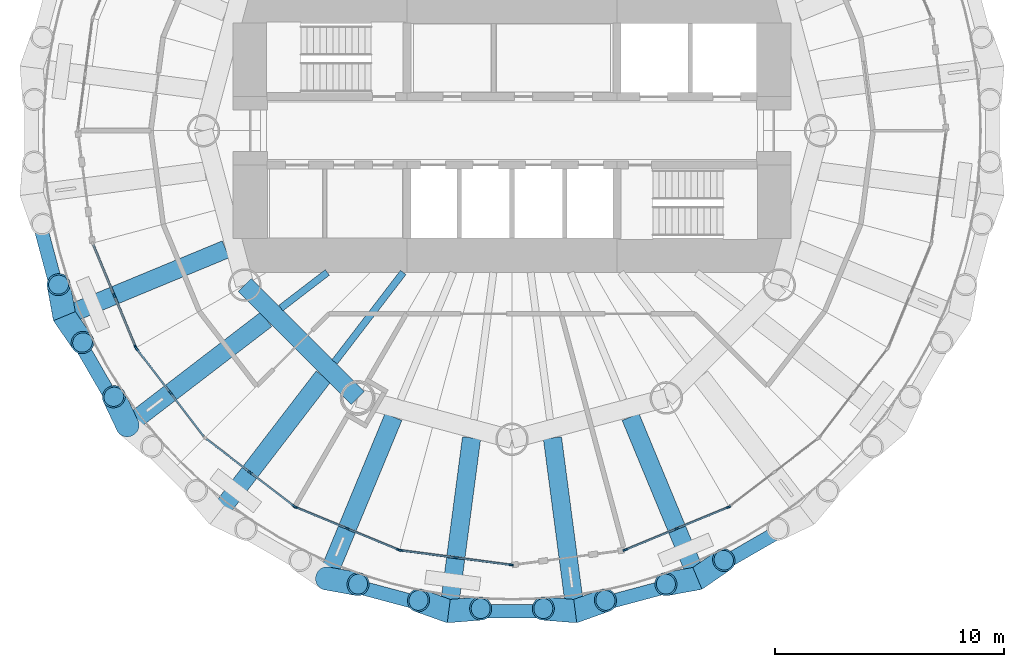
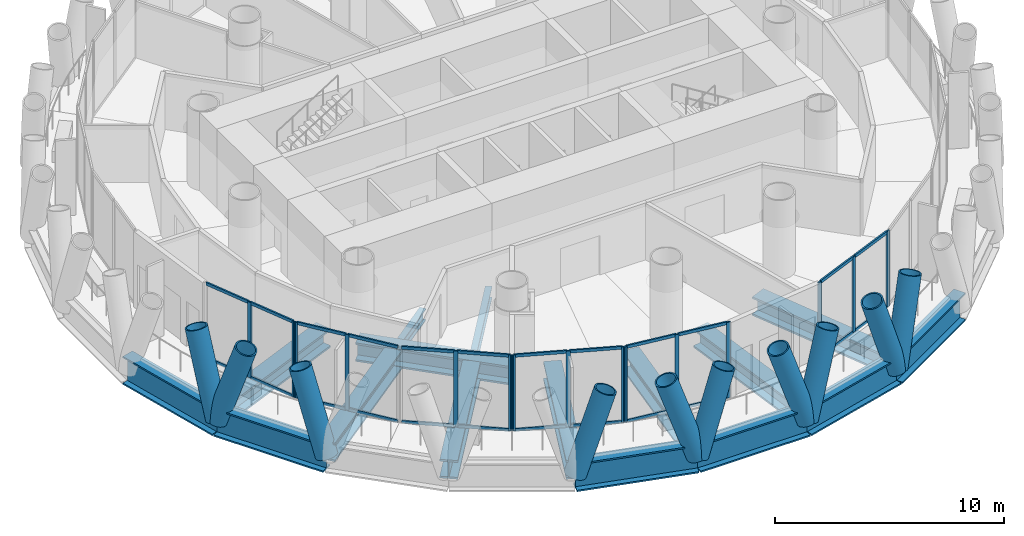
# One storey, part 2 of 16: 49 members, 16 beams, 6 elements without a shape of their own.
"""IFC4 building model written with IfcOpenShell, lengths in metres."""

from ifc_helpers import new_model, si_unit, direction, frame, origin, origin_2d, place, context, subcontext, project, spatial, rectangle, hollow_circle, i_section, extrude, material, material_profile, profile_set, type_object, element, aggregate, save


model = new_model("IFC4")

# Units and contexts
model_context = context("Model", 3, precision=1e-05, world=origin(), true_north=direction((0.0, 1.0)))
body_context = subcontext(model_context, "Body", "Model", "MODEL_VIEW")
ifc_project = project(units=[si_unit("LENGTHUNIT", "METRE"), si_unit("AREAUNIT", "SQUARE_METRE"), si_unit("VOLUMEUNIT", "CUBIC_METRE"), si_unit("PLANEANGLEUNIT", "RADIAN"), si_unit("MASSUNIT", "GRAM", prefix="KILO")], contexts=[model_context])

# Site, building, storey
site_placement = place(None, origin())
site = spatial("IfcSite", under=ifc_project, at=site_placement, CompositionType="ELEMENT")
building_placement = place(site_placement, origin())
building = spatial("IfcBuilding", under=site, at=building_placement, Name="Qaws Media Tower", CompositionType="ELEMENT")
storey_placement = place(building_placement, frame((0.0, 0.0, 269.60009765625)))
storey = spatial("IfcBuildingStorey", under=building, at=storey_placement, Name="L62", CompositionType="ELEMENT", Elevation=269.60009765625)

# Curtain wall, members
ifc_material_1 = material(Name="Aluminium and clear glass", Category="aluminium")
curtain_wall_type = type_object("IfcCurtainWallType", Name="Unitised curtain wall CW-D", PredefinedType="NOTDEFINED", material=ifc_material_1)
curtain_wall_1_placement = place(storey_placement, origin())
curtain_wall_1 = element("IfcCurtainWall", 1, at=curtain_wall_1_placement, inside=storey, type_object=curtain_wall_type, Name="CWD curtain wall L62-14", PredefinedType="NOTDEFINED")
ifc_material_2 = material(Name="Aluminium mullion", Category="aluminium")
ifc_material_profile_1 = material_profile(ifc_material_2, rectangle(XDim=0.080078125, YDim=0.199951171875, at=origin_2d()), Name="80x200")
ifc_profile_set_1 = profile_set([ifc_material_profile_1], Name="Aluminium mullion")
member_type_1 = type_object("IfcMemberType", Name="Curtain wall mullion 80x200", PredefinedType="MULLION", material=ifc_profile_set_1)
member_1_placement = place(storey_placement, frame((42.596435546875, 42.791259765625, 0.0), z_axis=(0.0, 0.0, 1.0), x_axis=(0.923879530254, 0.382683437815, 0.0)))
member_1 = element("IfcMember", 2, at=member_1_placement, type_object=member_type_1, Name="CWD mullion 2", PredefinedType="MULLION", context=body_context, shape_type="SweptSolid", body=[
    extrude(rectangle(XDim=0.080078125, YDim=0.199951171875, at=origin_2d()), origin(), (0.0, 0.0, 1.0), 4.039794921875),
])
member_2_placement = place(storey_placement, frame((43.5302734375, 40.536865234375, 0.0), z_axis=(0.0, 0.0, 1.0), x_axis=(0.923879530254, 0.382683437815, 0.0)))
member_2 = element("IfcMember", 3, at=member_2_placement, type_object=member_type_1, Name="CWD mullion 3", PredefinedType="MULLION", context=body_context, shape_type="SweptSolid", body=[
    extrude(rectangle(XDim=0.080078125, YDim=0.199951171875, at=origin_2d()), origin(), (0.0, 0.0, 1.0), 4.039794921875),
])

curtain_wall_2_placement = place(storey_placement, origin())
curtain_wall_2 = element("IfcCurtainWall", 4, at=curtain_wall_2_placement, inside=storey, type_object=curtain_wall_type, Name="CWD curtain wall L62-15", PredefinedType="NOTDEFINED")
member_3_placement = place(storey_placement, frame((43.56982421875, 40.46826171875, 0.0), z_axis=(0.0, 0.0, 1.0), x_axis=(0.793353335436, 0.608761435337, 0.0)))
member_3 = element("IfcMember", 5, at=member_3_placement, type_object=member_type_1, Name="CWD mullion 1", PredefinedType="MULLION", context=body_context, shape_type="SweptSolid", body=[
    extrude(rectangle(XDim=0.080078125, YDim=0.199951171875, at=origin_2d()), origin(), (0.0, 0.0, 1.0), 4.039794921875),
])
member_4_placement = place(storey_placement, frame((45.05517578125, 38.532470703125, 0.0), z_axis=(0.0, 0.0, 1.0), x_axis=(0.793353335436, 0.608761435337, 0.0)))
member_4 = element("IfcMember", 6, at=member_4_placement, type_object=member_type_1, Name="CWD mullion 2", PredefinedType="MULLION", context=body_context, shape_type="SweptSolid", body=[
    extrude(rectangle(XDim=0.080078125, YDim=0.199951171875, at=origin_2d()), origin(), (0.0, 0.0, 1.0), 4.039794921875),
])

curtain_wall_3_placement = place(storey_placement, origin())
curtain_wall_3 = element("IfcCurtainWall", 7, at=curtain_wall_3_placement, inside=storey, type_object=curtain_wall_type, Name="CWD curtain wall L62-16", PredefinedType="NOTDEFINED")
member_5_placement = place(storey_placement, frame((48.532470703125, 35.05517578125, 0.0), z_axis=(0.0, 0.0, 1.0), x_axis=(0.608761435337, 0.793353335436, 0.0)))
member_5 = element("IfcMember", 8, at=member_5_placement, type_object=member_type_1, Name="CWD mullion 2", PredefinedType="MULLION", context=body_context, shape_type="SweptSolid", body=[
    extrude(rectangle(XDim=0.080078125, YDim=0.199951171875, at=origin_2d()), origin(), (0.0, 0.0, 1.0), 4.039794921875),
])
member_6_placement = place(storey_placement, frame((50.46826171875, 33.56982421875, 0.0), z_axis=(0.0, 0.0, 1.0), x_axis=(0.608761435337, 0.793353335436, 0.0)))
member_6 = element("IfcMember", 9, at=member_6_placement, type_object=member_type_1, Name="CWD mullion 3", PredefinedType="MULLION", context=body_context, shape_type="SweptSolid", body=[
    extrude(rectangle(XDim=0.080078125, YDim=0.199951171875, at=origin_2d()), origin(), (0.0, 0.0, 1.0), 4.039794921875),
])

curtain_wall_4_placement = place(storey_placement, origin())
curtain_wall_4 = element("IfcCurtainWall", 10, at=curtain_wall_4_placement, inside=storey, type_object=curtain_wall_type, Name="CWD curtain wall L62-17", PredefinedType="NOTDEFINED")
member_7_placement = place(storey_placement, frame((50.536865234375, 33.5302734375, 0.0), z_axis=(0.0, 0.0, 1.0), x_axis=(0.382683437815, 0.923879530254, 0.0)))
member_7 = element("IfcMember", 11, at=member_7_placement, type_object=member_type_1, Name="CWD mullion 1", PredefinedType="MULLION", context=body_context, shape_type="SweptSolid", body=[
    extrude(rectangle(XDim=0.080078125, YDim=0.199951171875, at=origin_2d()), origin(), (0.0, 0.0, 1.0), 4.039794921875),
])
member_8_placement = place(storey_placement, frame((52.791259765625, 32.596435546875, 0.0), z_axis=(0.0, 0.0, 1.0), x_axis=(0.382683437815, 0.923879530254, 0.0)))
member_8 = element("IfcMember", 12, at=member_8_placement, type_object=member_type_1, Name="CWD mullion 2", PredefinedType="MULLION", context=body_context, shape_type="SweptSolid", body=[
    extrude(rectangle(XDim=0.080078125, YDim=0.199951171875, at=origin_2d()), origin(), (0.0, 0.0, 1.0), 4.039794921875),
])
member_9_placement = place(storey_placement, frame((55.04541015625, 31.66259765625, 0.0), z_axis=(0.0, 0.0, 1.0), x_axis=(0.382683437815, 0.923879530254, 0.0)))
member_9 = element("IfcMember", 13, at=member_9_placement, type_object=member_type_1, Name="CWD mullion 3", PredefinedType="MULLION", context=body_context, shape_type="SweptSolid", body=[
    extrude(rectangle(XDim=0.080078125, YDim=0.199951171875, at=origin_2d()), origin(), (0.0, 0.0, 1.0), 4.039794921875),
])

curtain_wall_5_placement = place(storey_placement, origin())
curtain_wall_5 = element("IfcCurtainWall", 14, at=curtain_wall_5_placement, inside=storey, type_object=curtain_wall_type, Name="CWD curtain wall L62-18", PredefinedType="NOTDEFINED")
member_10_placement = place(storey_placement, frame((55.1220703125, 31.64208984375, 0.0), z_axis=(0.0, 0.0, 1.0), x_axis=(0.130526128939, 0.991444869705, 0.0)))
member_10 = element("IfcMember", 15, at=member_10_placement, type_object=member_type_1, Name="CWD mullion 1", PredefinedType="MULLION", context=body_context, shape_type="SweptSolid", body=[
    extrude(rectangle(XDim=0.080078125, YDim=0.199951171875, at=origin_2d()), origin(), (0.0, 0.0, 1.0), 4.039794921875),
])
member_11_placement = place(storey_placement, frame((57.541259765625, 31.32373046875, 0.0), z_axis=(0.0, 0.0, 1.0), x_axis=(0.130526128939, 0.991444869705, 0.0)))
member_11 = element("IfcMember", 16, at=member_11_placement, type_object=member_type_1, Name="CWD mullion 2", PredefinedType="MULLION", context=body_context, shape_type="SweptSolid", body=[
    extrude(rectangle(XDim=0.080078125, YDim=0.199951171875, at=origin_2d()), origin(), (0.0, 0.0, 1.0), 4.039794921875),
])
member_12_placement = place(storey_placement, frame((59.96044921875, 31.005126953125, 0.0), z_axis=(0.0, 0.0, 1.0), x_axis=(0.130526128939, 0.991444869705, 0.0)))
member_12 = element("IfcMember", 17, at=member_12_placement, type_object=member_type_1, Name="CWD mullion 3", PredefinedType="MULLION", context=body_context, shape_type="SweptSolid", body=[
    extrude(rectangle(XDim=0.080078125, YDim=0.199951171875, at=origin_2d()), origin(), (0.0, 0.0, 1.0), 4.039794921875),
])

curtain_wall_6_placement = place(storey_placement, origin())
curtain_wall_6 = element("IfcCurtainWall", 18, at=curtain_wall_6_placement, inside=storey, type_object=curtain_wall_type, Name="CWD curtain wall L62-20", PredefinedType="NOTDEFINED")
member_13_placement = place(storey_placement, frame((64.95458984375, 31.66259765625, 0.0), z_axis=(0.0, 0.0, 1.0), x_axis=(-0.382683437815, 0.923879530254, 0.0)))
member_13 = element("IfcMember", 19, at=member_13_placement, type_object=member_type_1, Name="CWD mullion 1", PredefinedType="MULLION", context=body_context, shape_type="SweptSolid", body=[
    extrude(rectangle(XDim=0.080078125, YDim=0.199951171875, at=origin_2d()), origin(), (0.0, 0.0, 1.0), 4.039794921875),
])
member_14_placement = place(storey_placement, frame((67.208740234375, 32.596435546875, 0.0), z_axis=(0.0, 0.0, 1.0), x_axis=(-0.382683437815, 0.923879530254, 0.0)))
member_14 = element("IfcMember", 20, at=member_14_placement, type_object=member_type_1, Name="CWD mullion 2", PredefinedType="MULLION", context=body_context, shape_type="SweptSolid", body=[
    extrude(rectangle(XDim=0.080078125, YDim=0.199951171875, at=origin_2d()), origin(), (0.0, 0.0, 1.0), 4.039794921875),
])
member_15_placement = place(storey_placement, frame((69.463134765625, 33.5302734375, 0.0), z_axis=(0.0, 0.0, 1.0), x_axis=(-0.382683437815, 0.923879530254, 0.0)))
member_15 = element("IfcMember", 21, at=member_15_placement, type_object=member_type_1, Name="CWD mullion 3", PredefinedType="MULLION", context=body_context, shape_type="SweptSolid", body=[
    extrude(rectangle(XDim=0.080078125, YDim=0.199951171875, at=origin_2d()), origin(), (0.0, 0.0, 1.0), 4.039794921875),
])

# Member
ifc_material_3 = material(Name="Aluminium transom", Category="aluminium")
ifc_material_profile_2 = material_profile(ifc_material_3, rectangle(XDim=0.080078125, YDim=0.159912109375, at=origin_2d()), Name="80x160")
ifc_profile_set_2 = profile_set([ifc_material_profile_2], Name="Aluminium transom")
member_type_2 = type_object("IfcMemberType", Name="Curtain wall transom 80x160", PredefinedType="USERDEFINED", material=ifc_profile_set_2)
member_16_placement = place(storey_placement, frame((41.677978515625, 45.008544921875, 0.039794921875), z_axis=(0.382653293732, -0.923892015766, 0.0), x_axis=(0.923892015766, 0.382653293732, 0.0)))
member_16 = element("IfcMember", 22, at=member_16_placement, type_object=member_type_2, Name="CWD transom 1.1", ObjectType="TRANSOM", PredefinedType="USERDEFINED", context=body_context, shape_type="SweptSolid", body=[
    extrude(rectangle(XDim=0.080078125, YDim=0.159912109375, at=origin_2d()), origin(), (0.0, 0.0, 1.0), 2.360107421875),
])

member_17_placement = place(storey_placement, frame((41.677978515625, 45.008544921875, 4.0), z_axis=(0.382653293732, -0.923892015766, 0.0), x_axis=(0.923892015766, 0.382653293732, 0.0)))
member_17 = element("IfcMember", 23, at=member_17_placement, type_object=member_type_2, Name="CWD transom 1.2", ObjectType="TRANSOM", PredefinedType="USERDEFINED", context=body_context, shape_type="SweptSolid", body=[
    extrude(rectangle(XDim=0.080078125, YDim=0.159912109375, at=origin_2d()), origin(), (0.0, 0.0, 1.0), 2.360107421875),
])

member_18_placement = place(storey_placement, frame((42.61181640625, 42.754150390625, 0.039794921875), z_axis=(0.38268986885, -0.923876866406, 0.0), x_axis=(0.923876866406, 0.38268986885, 0.0)))
member_18 = element("IfcMember", 24, at=member_18_placement, type_object=member_type_2, Name="CWD transom 2.1", ObjectType="TRANSOM", PredefinedType="USERDEFINED", context=body_context, shape_type="SweptSolid", body=[
    extrude(rectangle(XDim=0.080078125, YDim=0.159912109375, at=origin_2d()), origin(), (0.0, 0.0, 1.0), 2.35986328125),
])

member_19_placement = place(storey_placement, frame((42.61181640625, 42.754150390625, 4.0), z_axis=(0.38268986885, -0.923876866406, 0.0), x_axis=(0.923876866406, 0.38268986885, 0.0)))
member_19 = element("IfcMember", 25, at=member_19_placement, type_object=member_type_2, Name="CWD transom 2.2", ObjectType="TRANSOM", PredefinedType="USERDEFINED", context=body_context, shape_type="SweptSolid", body=[
    extrude(rectangle(XDim=0.080078125, YDim=0.159912109375, at=origin_2d()), origin(), (0.0, 0.0, 1.0), 2.35986328125),
])

aggregate(curtain_wall_1, [member_1, member_2, member_16, member_17, member_18, member_19])

member_20_placement = place(storey_placement, frame((43.59423828125, 40.4365234375, 0.039794921875), z_axis=(0.608785475942, -0.793334887851, 0.0), x_axis=(0.793334887851, 0.608785475942, 0.0)))
member_20 = element("IfcMember", 26, at=member_20_placement, type_object=member_type_2, Name="CWD transom 1.1", ObjectType="TRANSOM", PredefinedType="USERDEFINED", context=body_context, shape_type="SweptSolid", body=[
    extrude(rectangle(XDim=0.080078125, YDim=0.159912109375, at=origin_2d()), origin(), (0.0, 0.0, 1.0), 2.360107421875),
])

member_21_placement = place(storey_placement, frame((43.59423828125, 40.4365234375, 4.0), z_axis=(0.608785475942, -0.793334887851, 0.0), x_axis=(0.793334887851, 0.608785475942, 0.0)))
member_21 = element("IfcMember", 27, at=member_21_placement, type_object=member_type_2, Name="CWD transom 1.2", ObjectType="TRANSOM", PredefinedType="USERDEFINED", context=body_context, shape_type="SweptSolid", body=[
    extrude(rectangle(XDim=0.080078125, YDim=0.159912109375, at=origin_2d()), origin(), (0.0, 0.0, 1.0), 2.360107421875),
])

member_22_placement = place(storey_placement, frame((45.07958984375, 38.500732421875, 0.039794921875), z_axis=(0.608785475942, -0.793334887851, 0.0), x_axis=(0.793334887851, 0.608785475942, 0.0)))
member_22 = element("IfcMember", 28, at=member_22_placement, type_object=member_type_2, Name="CWD transom 2.1", ObjectType="TRANSOM", PredefinedType="USERDEFINED", context=body_context, shape_type="SweptSolid", body=[
    extrude(rectangle(XDim=0.080078125, YDim=0.159912109375, at=origin_2d()), origin(), (0.0, 0.0, 1.0), 2.360107421875),
])

member_23_placement = place(storey_placement, frame((45.07958984375, 38.500732421875, 4.0), z_axis=(0.608785475942, -0.793334887851, 0.0), x_axis=(0.793334887851, 0.608785475942, 0.0)))
member_23 = element("IfcMember", 29, at=member_23_placement, type_object=member_type_2, Name="CWD transom 2.2", ObjectType="TRANSOM", PredefinedType="USERDEFINED", context=body_context, shape_type="SweptSolid", body=[
    extrude(rectangle(XDim=0.080078125, YDim=0.159912109375, at=origin_2d()), origin(), (0.0, 0.0, 1.0), 2.360107421875),
])

aggregate(curtain_wall_2, [member_3, member_4, member_20, member_21, member_22, member_23])

member_24_placement = place(storey_placement, frame((46.62841796875, 36.516357421875, 0.039794921875), z_axis=(0.793334887851, -0.608785475942, 0.0), x_axis=(0.608785475942, 0.793334887851, 0.0)))
member_24 = element("IfcMember", 30, at=member_24_placement, type_object=member_type_2, Name="CWD transom 1.1", ObjectType="TRANSOM", PredefinedType="USERDEFINED", context=body_context, shape_type="SweptSolid", body=[
    extrude(rectangle(XDim=0.080078125, YDim=0.159912109375, at=origin_2d()), origin(), (0.0, 0.0, 1.0), 2.360107421875),
])

member_25_placement = place(storey_placement, frame((46.62841796875, 36.516357421875, 4.0), z_axis=(0.793334887851, -0.608785475942, 0.0), x_axis=(0.608785475942, 0.793334887851, 0.0)))
member_25 = element("IfcMember", 31, at=member_25_placement, type_object=member_type_2, Name="CWD transom 1.2", ObjectType="TRANSOM", PredefinedType="USERDEFINED", context=body_context, shape_type="SweptSolid", body=[
    extrude(rectangle(XDim=0.080078125, YDim=0.159912109375, at=origin_2d()), origin(), (0.0, 0.0, 1.0), 2.360107421875),
])

member_26_placement = place(storey_placement, frame((48.564208984375, 35.031005859375, 0.039794921875), z_axis=(0.793334887851, -0.608785475942, 0.0), x_axis=(0.608785475942, 0.793334887851, 0.0)))
member_26 = element("IfcMember", 32, at=member_26_placement, type_object=member_type_2, Name="CWD transom 2.1", ObjectType="TRANSOM", PredefinedType="USERDEFINED", context=body_context, shape_type="SweptSolid", body=[
    extrude(rectangle(XDim=0.080078125, YDim=0.159912109375, at=origin_2d()), origin(), (0.0, 0.0, 1.0), 2.360107421875),
])

member_27_placement = place(storey_placement, frame((48.564208984375, 35.031005859375, 4.0), z_axis=(0.793334887851, -0.608785475942, 0.0), x_axis=(0.608785475942, 0.793334887851, 0.0)))
member_27 = element("IfcMember", 33, at=member_27_placement, type_object=member_type_2, Name="CWD transom 2.2", ObjectType="TRANSOM", PredefinedType="USERDEFINED", context=body_context, shape_type="SweptSolid", body=[
    extrude(rectangle(XDim=0.080078125, YDim=0.159912109375, at=origin_2d()), origin(), (0.0, 0.0, 1.0), 2.360107421875),
])

aggregate(curtain_wall_3, [member_5, member_6, member_24, member_25, member_26, member_27])

member_28_placement = place(storey_placement, frame((50.573974609375, 33.514892578125, 0.039794921875), z_axis=(0.923876866406, -0.38268986885, 0.0), x_axis=(0.38268986885, 0.923876866406, 0.0)))
member_28 = element("IfcMember", 34, at=member_28_placement, type_object=member_type_2, Name="CWD transom 1.1", ObjectType="TRANSOM", PredefinedType="USERDEFINED", context=body_context, shape_type="SweptSolid", body=[
    extrude(rectangle(XDim=0.080078125, YDim=0.159912109375, at=origin_2d()), origin(), (0.0, 0.0, 1.0), 2.35986328125),
])

member_29_placement = place(storey_placement, frame((50.573974609375, 33.514892578125, 4.0), z_axis=(0.923876866406, -0.38268986885, 0.0), x_axis=(0.38268986885, 0.923876866406, 0.0)))
member_29 = element("IfcMember", 35, at=member_29_placement, type_object=member_type_2, Name="CWD transom 1.2", ObjectType="TRANSOM", PredefinedType="USERDEFINED", context=body_context, shape_type="SweptSolid", body=[
    extrude(rectangle(XDim=0.080078125, YDim=0.159912109375, at=origin_2d()), origin(), (0.0, 0.0, 1.0), 2.35986328125),
])

member_30_placement = place(storey_placement, frame((52.828125, 32.5810546875, 0.039794921875), z_axis=(0.923892015766, -0.382653293732, 0.0), x_axis=(0.382653293732, 0.923892015766, 0.0)))
member_30 = element("IfcMember", 36, at=member_30_placement, type_object=member_type_2, Name="CWD transom 2.1", ObjectType="TRANSOM", PredefinedType="USERDEFINED", context=body_context, shape_type="SweptSolid", body=[
    extrude(rectangle(XDim=0.080078125, YDim=0.159912109375, at=origin_2d()), origin(), (0.0, 0.0, 1.0), 2.360107421875),
])

member_31_placement = place(storey_placement, frame((52.828125, 32.5810546875, 4.0), z_axis=(0.923892015766, -0.382653293732, 0.0), x_axis=(0.382653293732, 0.923892015766, 0.0)))
member_31 = element("IfcMember", 37, at=member_31_placement, type_object=member_type_2, Name="CWD transom 2.2", ObjectType="TRANSOM", PredefinedType="USERDEFINED", context=body_context, shape_type="SweptSolid", body=[
    extrude(rectangle(XDim=0.080078125, YDim=0.159912109375, at=origin_2d()), origin(), (0.0, 0.0, 1.0), 2.360107421875),
])

aggregate(curtain_wall_4, [member_7, member_8, member_9, member_28, member_29, member_30, member_31])

member_32_placement = place(storey_placement, frame((55.161865234375, 31.636962890625, 0.039794921875), z_axis=(0.991439851806, -0.130564238024, 0.0), x_axis=(0.130564238024, 0.991439851806, 0.0)))
member_32 = element("IfcMember", 38, at=member_32_placement, type_object=member_type_2, Name="CWD transom 1.1", ObjectType="TRANSOM", PredefinedType="USERDEFINED", context=body_context, shape_type="SweptSolid", body=[
    extrude(rectangle(XDim=0.080078125, YDim=0.159912109375, at=origin_2d()), origin(), (0.0, 0.0, 1.0), 2.35986328125),
])

member_33_placement = place(storey_placement, frame((55.161865234375, 31.636962890625, 4.0), z_axis=(0.991439851806, -0.130564238024, 0.0), x_axis=(0.130564238024, 0.991439851806, 0.0)))
member_33 = element("IfcMember", 39, at=member_33_placement, type_object=member_type_2, Name="CWD transom 1.2", ObjectType="TRANSOM", PredefinedType="USERDEFINED", context=body_context, shape_type="SweptSolid", body=[
    extrude(rectangle(XDim=0.080078125, YDim=0.159912109375, at=origin_2d()), origin(), (0.0, 0.0, 1.0), 2.35986328125),
])

member_34_placement = place(storey_placement, frame((57.580810546875, 31.318603515625, 0.039794921875), z_axis=(0.991441615189, -0.130550847075, 0.0), x_axis=(0.130550847075, 0.991441615189, 0.0)))
member_34 = element("IfcMember", 40, at=member_34_placement, type_object=member_type_2, Name="CWD transom 2.1", ObjectType="TRANSOM", PredefinedType="USERDEFINED", context=body_context, shape_type="SweptSolid", body=[
    extrude(rectangle(XDim=0.080078125, YDim=0.159912109375, at=origin_2d()), origin(), (0.0, 0.0, 1.0), 2.360107421875),
])

member_35_placement = place(storey_placement, frame((57.580810546875, 31.318603515625, 4.0), z_axis=(0.991441615189, -0.130550847075, 0.0), x_axis=(0.130550847075, 0.991441615189, 0.0)))
member_35 = element("IfcMember", 41, at=member_35_placement, type_object=member_type_2, Name="CWD transom 2.2", ObjectType="TRANSOM", PredefinedType="USERDEFINED", context=body_context, shape_type="SweptSolid", body=[
    extrude(rectangle(XDim=0.080078125, YDim=0.159912109375, at=origin_2d()), origin(), (0.0, 0.0, 1.0), 2.360107421875),
])

aggregate(curtain_wall_5, [member_10, member_11, member_12, member_32, member_33, member_34, member_35])

member_36_placement = place(storey_placement, frame((64.991455078125, 31.677978515625, 0.039794921875), z_axis=(0.923892015766, 0.382653293732, 0.0), x_axis=(-0.382653293732, 0.923892015766, 0.0)))
member_36 = element("IfcMember", 42, at=member_36_placement, type_object=member_type_2, Name="CWD transom 1.1", ObjectType="TRANSOM", PredefinedType="USERDEFINED", context=body_context, shape_type="SweptSolid", body=[
    extrude(rectangle(XDim=0.080078125, YDim=0.159912109375, at=origin_2d()), origin(), (0.0, 0.0, 1.0), 2.360107421875),
])

member_37_placement = place(storey_placement, frame((64.991455078125, 31.677978515625, 4.0), z_axis=(0.923892015766, 0.382653293732, 0.0), x_axis=(-0.382653293732, 0.923892015766, 0.0)))
member_37 = element("IfcMember", 43, at=member_37_placement, type_object=member_type_2, Name="CWD transom 1.2", ObjectType="TRANSOM", PredefinedType="USERDEFINED", context=body_context, shape_type="SweptSolid", body=[
    extrude(rectangle(XDim=0.080078125, YDim=0.159912109375, at=origin_2d()), origin(), (0.0, 0.0, 1.0), 2.360107421875),
])

member_38_placement = place(storey_placement, frame((67.245849609375, 32.61181640625, 0.039794921875), z_axis=(0.923876866406, 0.38268986885, 0.0), x_axis=(-0.38268986885, 0.923876866406, 0.0)))
member_38 = element("IfcMember", 44, at=member_38_placement, type_object=member_type_2, Name="CWD transom 2.1", ObjectType="TRANSOM", PredefinedType="USERDEFINED", context=body_context, shape_type="SweptSolid", body=[
    extrude(rectangle(XDim=0.080078125, YDim=0.159912109375, at=origin_2d()), origin(), (0.0, 0.0, 1.0), 2.35986328125),
])

member_39_placement = place(storey_placement, frame((67.245849609375, 32.61181640625, 4.0), z_axis=(0.923876866406, 0.38268986885, 0.0), x_axis=(-0.38268986885, 0.923876866406, 0.0)))
member_39 = element("IfcMember", 45, at=member_39_placement, type_object=member_type_2, Name="CWD transom 2.2", ObjectType="TRANSOM", PredefinedType="USERDEFINED", context=body_context, shape_type="SweptSolid", body=[
    extrude(rectangle(XDim=0.080078125, YDim=0.159912109375, at=origin_2d()), origin(), (0.0, 0.0, 1.0), 2.35986328125),
])

aggregate(curtain_wall_6, [member_13, member_14, member_15, member_36, member_37, member_38, member_39])

# Members
ifc_material_4 = material(Name="Steel S460", Category="steel")
ifc_material_profile_3 = material_profile(ifc_material_4, hollow_circle(Radius=0.508056640625, WallThickness=0.070068359375, at=origin_2d()), Name="CHS 1016x70")
ifc_profile_set_3 = profile_set([ifc_material_profile_3], Name="Steel S460")
member_type_3 = type_object("IfcMemberType", Name="Diagrid member CHS 1016x70", PredefinedType="USERDEFINED", material=ifc_profile_set_3)
for number, where, z_axis, x_axis, name in (
    (46, (40.413818359375, 41.88720703125, -0.91015625), (0.179923150491, -0.260428145807, 0.948580434538), (0.822743668856, 0.568412574947, 0.0), "DG3 diagrid L62 A14"),
    (47, (40.413818359375, 41.88720703125, -0.91015625), (-0.056904923724, 0.311378008011, 0.948580816685), (-0.983707850681, -0.179774482363, 0.0), "DG3 diagrid L62 B14"),
    (48, (43.180908203125, 37.09423828125, -0.91015625), (-0.135534460852, 0.286067039423, 0.948575805551), (-0.903702367057, -0.428161221709, 0.0), "DG3 diagrid L62 B15"),
    (49, (51.88720703125, 30.413818359375, -0.91015625), (0.311378008011, -0.056904923724, 0.948580816685), (0.179774482363, 0.983707850681, 0.0), "DG3 diagrid L62 A17"),
    (50, (57.23291015625, 28.9814453125, -0.91015625), (0.315511681135, 0.025640148851, 0.948575227293), (-0.08099827375, 0.996714241721, 0.0), "DG3 diagrid L62 A18"),
    (51, (57.23291015625, 28.9814453125, -0.91015625), (-0.298141170199, 0.106419910946, 0.948570843525), (-0.336170879683, -0.941801008522, 0.0), "DG3 diagrid L62 B18"),
    (52, (62.76708984375, 28.9814453125, -0.91015625), (0.298141170199, 0.106419910946, 0.948570843525), (-0.336170879683, 0.941801008522, 0.0), "DG3 diagrid L62 A19"),
    (53, (62.76708984375, 28.9814453125, -0.91015625), (-0.315511681135, 0.025640148851, 0.948575227293), (-0.08099827375, -0.996714241721, 0.0), "DG3 diagrid L62 B19"),
    (54, (68.11279296875, 30.413818359375, -0.91015625), (0.260428145807, 0.179923150491, 0.948580434538), (-0.568412574947, 0.822743668856, 0.0), "DG3 diagrid L62 A20"),
    (55, (68.11279296875, 30.413818359375, -0.91015625), (-0.311378008011, -0.056904923724, 0.948580816685), (0.179774482363, -0.983707850681, 0.0), "DG3 diagrid L62 B20"),
):
    element("IfcMember", number, at=place(storey_placement, frame(where, z_axis=z_axis, x_axis=x_axis)), inside=storey, type_object=member_type_3, Name=name, ObjectType="DIAGRID", PredefinedType="USERDEFINED", context=body_context, shape_type="SweptSolid", body=[
        extrude(hollow_circle(Radius=0.508056640625, WallThickness=0.070068359375, at=origin_2d()), origin(), (0.0, 0.0, 1.0), 4.427734375),
    ])

# Beams
ifc_material_5 = material(Name="Steel S460", Category="steel")
ifc_material_profile_4 = material_profile(ifc_material_5, i_section(OverallWidth=0.60009765625, OverallDepth=1.5, WebThickness=0.030029296875, FlangeThickness=0.080078125, at=origin_2d()), Name="PG 1500x600")
ifc_profile_set_4 = profile_set([ifc_material_profile_4], Name="Steel S460")
beam_type_1 = type_object("IfcBeamType", Name="Edge ring beam PG 1500x600", PredefinedType="BEAM", material=ifc_profile_set_4)
beam_1_placement = place(storey_placement, frame((38.9814453125, 47.23291015625, -0.91015625), z_axis=(0.258818406416, -0.965925997424, 0.0), x_axis=(0.965925997424, 0.258818406416, 0.0)))
element("IfcBeam", 56, at=beam_1_placement, inside=storey, type_object=beam_type_1, Name="RB5 edge ring beam L62-13", PredefinedType="BEAM", context=body_context, shape_type="SweptSolid", body=[
    extrude(i_section(OverallWidth=0.60009765625, OverallDepth=1.5, WebThickness=0.030029296875, FlangeThickness=0.080078125, at=origin_2d()), origin(), (0.0, 0.0, 1.0), 5.5341796875),
])
beam_2_placement = place(storey_placement, frame((40.413818359375, 41.88720703125, -0.91015625), z_axis=(0.499982117899, -0.866035727774, 0.0), x_axis=(0.866035727774, 0.499982117899, 0.0)))
element("IfcBeam", 57, at=beam_2_placement, inside=storey, type_object=beam_type_1, Name="RB5 edge ring beam L62-14", PredefinedType="BEAM", context=body_context, shape_type="SweptSolid", body=[
    extrude(i_section(OverallWidth=0.60009765625, OverallDepth=1.5, WebThickness=0.030029296875, FlangeThickness=0.080078125, at=origin_2d()), origin(), (0.0, 0.0, 1.0), 5.534423828125),
])
for number, where, z_axis, x_axis, name in (
    (58, (51.88720703125, 30.413818359375, -0.91015625), (0.965925997424, -0.258818406416, 0.0), (0.258818406416, 0.965925997424, 0.0), "RB5 edge ring beam L62-17"),
    (59, (57.23291015625, 28.9814453125, -0.91015625), (1.0, 0.0, 0.0), (0.0, 1.0, 0.0), "RB5 edge ring beam L62-18"),
    (60, (62.76708984375, 28.9814453125, -0.91015625), (0.965925997424, 0.258818406416, 0.0), (-0.258818406416, 0.965925997424, 0.0), "RB5 edge ring beam L62-19"),
):
    element("IfcBeam", number, at=place(storey_placement, frame(where, z_axis=z_axis, x_axis=x_axis)), inside=storey, type_object=beam_type_1, Name=name, PredefinedType="BEAM", context=body_context, shape_type="SweptSolid", body=[
        extrude(i_section(OverallWidth=0.60009765625, OverallDepth=1.5, WebThickness=0.030029296875, FlangeThickness=0.080078125, at=origin_2d()), origin(), (0.0, 0.0, 1.0), 5.5341796875),
    ])
beam_3_placement = place(storey_placement, frame((68.11279296875, 30.413818359375, -0.91015625), z_axis=(0.866035727774, 0.499982117899, 0.0), x_axis=(-0.499982117899, 0.866035727774, 0.0)))
element("IfcBeam", 61, at=beam_3_placement, inside=storey, type_object=beam_type_1, Name="RB5 edge ring beam L62-20", PredefinedType="BEAM", context=body_context, shape_type="SweptSolid", body=[
    extrude(i_section(OverallWidth=0.60009765625, OverallDepth=1.5, WebThickness=0.030029296875, FlangeThickness=0.080078125, at=origin_2d()), origin(), (0.0, 0.0, 1.0), 5.534423828125),
])
ifc_material_6 = material(Name="Steel S460", Category="steel")
ifc_material_profile_5 = material_profile(ifc_material_6, i_section(OverallWidth=0.800048828125, OverallDepth=1.0, WebThickness=0.0400390625, FlangeThickness=0.10009765625, at=origin_2d()), Name="PG 1000x800")
ifc_profile_set_5 = profile_set([ifc_material_profile_5], Name="Steel S460")
beam_type_2 = type_object("IfcBeamType", Name="Inner ring girder PG 1000x800", PredefinedType="BEAM", material=ifc_profile_set_5)
beam_4_placement = place(storey_placement, frame((48.30859375, 43.25, -0.66015625), z_axis=(0.707106781187, -0.707106781187, 0.0), x_axis=(0.707106781187, 0.707106781187, 0.0)))
element("IfcBeam", 62, at=beam_4_placement, inside=storey, type_object=beam_type_2, Name="B3 inner ring beam L62 I08-I09", PredefinedType="BEAM", context=body_context, shape_type="SweptSolid", body=[
    extrude(i_section(OverallWidth=0.800048828125, OverallDepth=1.0, WebThickness=0.0400390625, FlangeThickness=0.10009765625, at=origin_2d()), origin(), (0.0, 0.0, 1.0), 6.98828125),
])
ifc_material_7 = material(Name="Steel S355", Category="steel")
ifc_material_profile_6 = material_profile(ifc_material_7, i_section(OverallWidth=0.304931640625, OverallDepth=0.6201171875, WebThickness=0.02099609375, FlangeThickness=0.0400390625, FilletRadius=0.027099609375, at=origin_2d()), Name="HE 600 M")
ifc_profile_set_6 = profile_set([ifc_material_profile_6], Name="Steel S355")
beam_type_3 = type_object("IfcBeamType", Name="Radial beam HE 600 M, core side", PredefinedType="BEAM", material=ifc_profile_set_6)
beam_5_placement = place(storey_placement, frame((51.919921875, 43.800048828125, -0.47021484375), z_axis=(-0.793313603331, -0.608813211725, 0.0), x_axis=(0.608813211725, -0.793313603331, 0.0)))
element("IfcBeam", 63, at=beam_5_placement, inside=storey, type_object=beam_type_3, Name="B2 radial beam L62 15", PredefinedType="BEAM", context=body_context, shape_type="SweptSolid", body=[
    extrude(i_section(OverallWidth=0.304931640625, OverallDepth=0.6201171875, WebThickness=0.02099609375, FlangeThickness=0.0400390625, FilletRadius=0.027099609375, at=origin_2d()), origin(), (0.0, 0.0, 1.0), 2.564453125),
])
beam_6_placement = place(storey_placement, frame((55.24267578125, 43.800048828125, -0.47021484375), z_axis=(-0.60878257667, -0.793337112672, 0.0), x_axis=(0.793337112672, -0.60878257667, 0.0)))
element("IfcBeam", 64, at=beam_6_placement, inside=storey, type_object=beam_type_3, Name="B2 radial beam L62 16", PredefinedType="BEAM", context=body_context, shape_type="SweptSolid", body=[
    extrude(i_section(OverallWidth=0.304931640625, OverallDepth=0.6201171875, WebThickness=0.02099609375, FlangeThickness=0.0400390625, FilletRadius=0.027099609375, at=origin_2d()), origin(), (0.0, 0.0, 1.0), 4.934326171875),
])
ifc_material_8 = material(Name="Steel S460", Category="steel")
ifc_material_profile_7 = material_profile(ifc_material_8, i_section(OverallWidth=0.800048828125, OverallDepth=1.0, WebThickness=0.0400390625, FlangeThickness=0.10009765625, at=origin_2d()), Name="PG 1000x800")
ifc_profile_set_7 = profile_set([ifc_material_profile_7], Name="Steel S460")
beam_type_4 = type_object("IfcBeamType", Name="Radial girder PG 1000x800", PredefinedType="BEAM", material=ifc_profile_set_7)
beam_7_placement = place(storey_placement, frame((47.475830078125, 44.812255859375, -0.66015625), z_axis=(-0.923885647267, -0.382668669706, 0.0), x_axis=(0.382668669706, -0.923885647267, 0.0)))
element("IfcBeam", 65, at=beam_7_placement, inside=storey, type_object=beam_type_4, Name="B1 radial beam L62 14", PredefinedType="BEAM", context=body_context, shape_type="SweptSolid", body=[
    extrude(i_section(OverallWidth=0.800048828125, OverallDepth=1.0, WebThickness=0.0400390625, FlangeThickness=0.10009765625, at=origin_2d()), origin(), (0.0, 0.0, 1.0), 7.643798828125),
])
for number, where, z_axis, x_axis, name in (
    (66, (49.245361328125, 41.74755859375, -0.66015625), (-0.793359547084, -0.608753340073, 0.0), (0.608753340073, -0.793359547084, 0.0), "B1 radial beam L62 15"),
    (67, (51.74755859375, 39.245361328125, -0.66015625), (-0.608753340073, -0.793359547084, 0.0), (0.793359547084, -0.608753340073, 0.0), "B1 radial beam L62 16"),
):
    element("IfcBeam", number, at=place(storey_placement, frame(where, z_axis=z_axis, x_axis=x_axis)), inside=storey, type_object=beam_type_4, Name=name, PredefinedType="BEAM", context=body_context, shape_type="SweptSolid", body=[
        extrude(i_section(OverallWidth=0.800048828125, OverallDepth=1.0, WebThickness=0.0400390625, FlangeThickness=0.10009765625, at=origin_2d()), origin(), (0.0, 0.0, 1.0), 7.64404296875),
    ])
beam_8_placement = place(storey_placement, frame((54.812255859375, 37.475830078125, -0.66015625), z_axis=(-0.382668669706, -0.923885647267, 0.0), x_axis=(0.923885647267, -0.382668669706, 0.0)))
element("IfcBeam", 68, at=beam_8_placement, inside=storey, type_object=beam_type_4, Name="B1 radial beam L62 17", PredefinedType="BEAM", context=body_context, shape_type="SweptSolid", body=[
    extrude(i_section(OverallWidth=0.800048828125, OverallDepth=1.0, WebThickness=0.0400390625, FlangeThickness=0.10009765625, at=origin_2d()), origin(), (0.0, 0.0, 1.0), 7.643798828125),
])
for number, where, z_axis, x_axis, name in (
    (69, (58.230712890625, 36.56005859375, -0.66015625), (-0.130533826448, -0.991443856279, 0.0), (0.991443856279, -0.130533826448, 0.0), "B1 radial beam L62 18"),
    (70, (61.769287109375, 36.56005859375, -0.66015625), (0.130533826448, -0.991443856279, 0.0), (0.991443856279, 0.130533826448, 0.0), "B1 radial beam L62 19"),
):
    element("IfcBeam", number, at=place(storey_placement, frame(where, z_axis=z_axis, x_axis=x_axis)), inside=storey, type_object=beam_type_4, Name=name, PredefinedType="BEAM", context=body_context, shape_type="SweptSolid", body=[
        extrude(i_section(OverallWidth=0.800048828125, OverallDepth=1.0, WebThickness=0.0400390625, FlangeThickness=0.10009765625, at=origin_2d()), origin(), (0.0, 0.0, 1.0), 7.64404296875),
    ])
beam_9_placement = place(storey_placement, frame((65.187744140625, 37.475830078125, -0.66015625), z_axis=(0.382668669706, -0.923885647267, 0.0), x_axis=(0.923885647267, 0.382668669706, 0.0)))
element("IfcBeam", 71, at=beam_9_placement, inside=storey, type_object=beam_type_4, Name="B1 radial beam L62 20", PredefinedType="BEAM", context=body_context, shape_type="SweptSolid", body=[
    extrude(i_section(OverallWidth=0.800048828125, OverallDepth=1.0, WebThickness=0.0400390625, FlangeThickness=0.10009765625, at=origin_2d()), origin(), (0.0, 0.0, 1.0), 7.643798828125),
])

save(model, "model.ifc")
